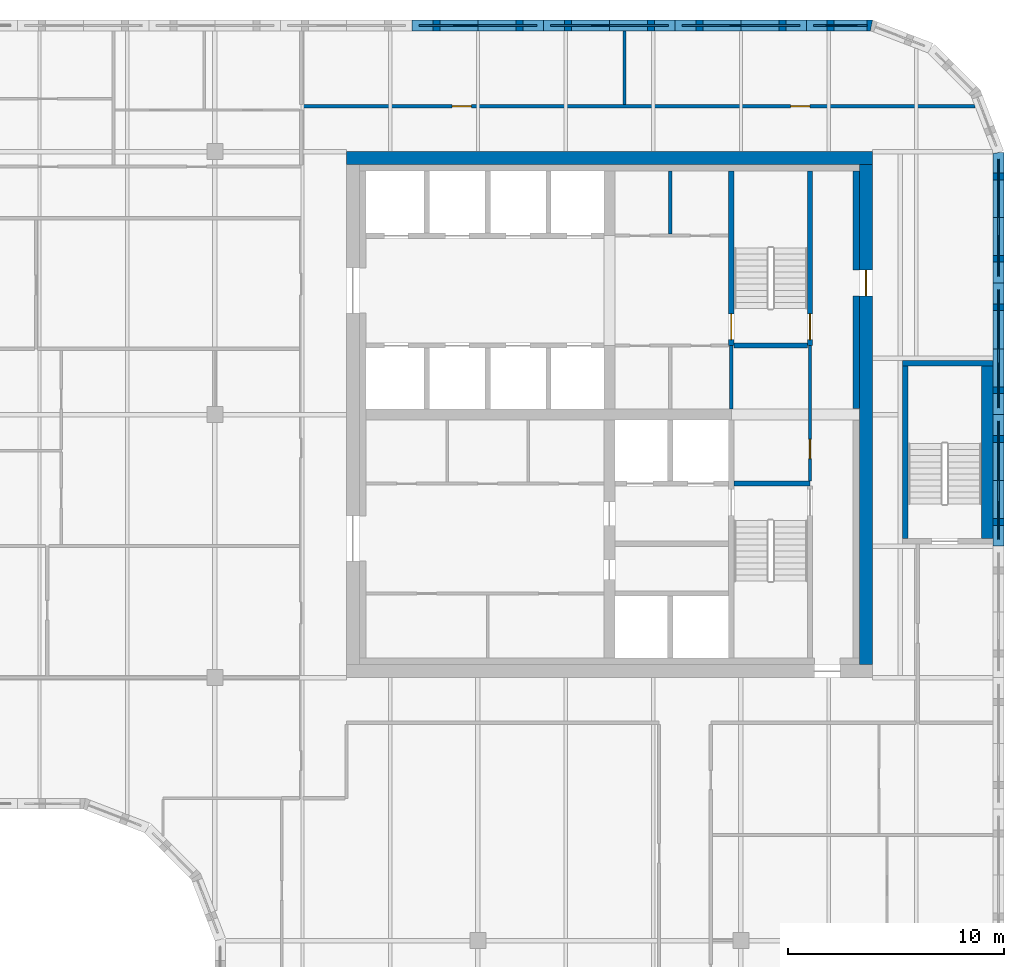
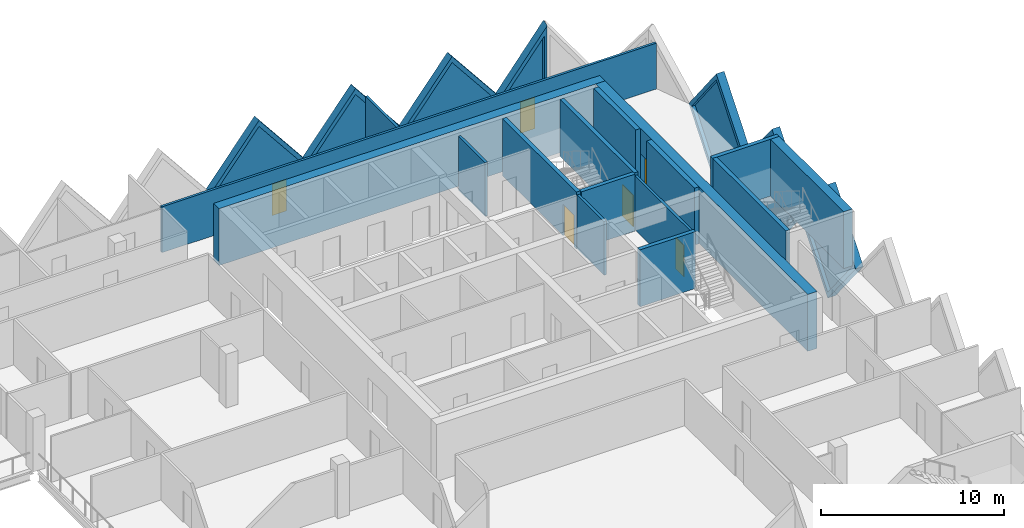
# One storey, part 9 of 11: 23 walls, 7 plates, 6 doors, 13 openings.
"""IFC4 building model written with IfcOpenShell, lengths in metres."""

from ifc_helpers import new_model, si_unit, direction, frame, frame_2d, origin, place, context, subcontext, project, spatial, polyline, rectangle, outline, extrude, faceted_brep, source, transform, mapped, material, layer, layer_set, type_object, element, fill, save


model = new_model("IFC4")

# Units and contexts
model_context = context("Model", 3, precision=1e-05, world=origin(), true_north=direction((0.0, 1.0)))
body_context = subcontext(model_context, "Body", "Model", "MODEL_VIEW")
ifc_project = project(units=[si_unit("LENGTHUNIT", "METRE"), si_unit("AREAUNIT", "SQUARE_METRE"), si_unit("VOLUMEUNIT", "CUBIC_METRE"), si_unit("PLANEANGLEUNIT", "RADIAN"), si_unit("MASSUNIT", "GRAM", prefix="KILO")], contexts=[model_context])

# Site, building, storey
site_placement = place(None, origin())
site = spatial("IfcSite", under=ifc_project, at=site_placement, CompositionType="ELEMENT")
building_placement = place(site_placement, origin())
building = spatial("IfcBuilding", under=site, at=building_placement, Name="Tessera Gate Towers", CompositionType="ELEMENT")
storey_placement = place(building_placement, frame((0.0, 0.0, 170.60009765625)))
storey = spatial("IfcBuildingStorey", under=building, at=storey_placement, Name="L42", CompositionType="ELEMENT", Elevation=170.60009765625)

# Wall
ifc_material_1 = material(Name="Concrete C40/50", Category="concrete")
ifc_layer_1 = layer(ifc_material_1, 0.25)
ifc_layer_set_1 = layer_set([ifc_layer_1], Name="CORE ENCLOSURE WALL 250")
wall_type_1 = type_object("IfcWallType", Name="CORE ENCLOSURE WALL 250", PredefinedType="SOLIDWALL", material=ifc_layer_set_1)
wall_1_placement = place(storey_placement, frame((48.47509765625, 33.39990234375, 0.0), z_axis=(0.0, 0.0, 1.0), x_axis=(1.0, 0.0, 0.0)))
element("IfcWall", 1, at=wall_1_placement, inside=storey, type_object=wall_type_1, Name="L42 shaft and stair enclosure wall", PredefinedType="SOLIDWALL", context=body_context, shape_type="SweptSolid", body=[
    extrude(rectangle(XDim=3.52490234375, YDim=0.25, at=frame_2d((1.762451171875, 0.0))), origin(), (0.0, 0.0, 1.0), 3.7998046875),
])

# Wall, opening, door
wall_2_placement = place(storey_placement, frame((48.35009765625, 47.89990234375, 0.0), z_axis=(0.0, 0.0, 1.0), x_axis=(0.0, -1.0, 0.0)))
wall_2 = element("IfcWall", 2, at=wall_2_placement, inside=storey, type_object=wall_type_1, Name="L42 shaft and stair enclosure wall", PredefinedType="SOLIDWALL", context=body_context, shape_type="SweptSolid", body=[
    extrude(rectangle(XDim=8.099853515625, YDim=0.25, at=frame_2d((4.0498046875, 0.0))), origin(), (0.0, 0.0, 1.0), 3.7998046875),
])
shared_shape_1 = source(origin(), body_context, "Body", "SweptSolid", [
    extrude(rectangle(XDim=1.199951171875, YDim=2.10009765625, at=frame_2d((0.60009765625, 1.050048828125))), frame((0.0, 0.135009765625, 0.0), z_axis=(0.0, -1.0, 0.0), x_axis=(1.0, 0.0, 0.0)), (0.0, 0.0, 1.0), 0.27001953125),
])
opening_1_placement = place(wall_2_placement, frame((6.625, 0.0, 0.0)))
opening_1 = element("IfcOpeningElement", 3, at=opening_1_placement, cuts=wall_2, Name="Opening SD-ST2-1", PredefinedType="OPENING", context=body_context, shape_type="MappedRepresentation", body=[
    mapped(shared_shape_1, transform((0.0, 0.0, 0.0), scale=1.0)),
])
ifc_material_2 = material(Name="Hollow steel fire door", Category="steel")
door_type_1 = type_object("IfcDoorType", Name="CORE DOOR SD 1200x2100", OperationType="NOTDEFINED", PredefinedType="DOOR", material=ifc_material_2)
shared_shape_2 = source(origin(), body_context, "Body", "SweptSolid", [
    extrude(rectangle(XDim=1.199951171875, YDim=2.10009765625, at=frame_2d((0.60009765625, 1.050048828125))), frame((0.0, 0.02490234375, 0.0), z_axis=(0.0, -1.0, 0.0), x_axis=(1.0, 0.0, 0.0)), (0.0, 0.0, 1.0), 0.050048828125),
])
door_1_placement = place(opening_1_placement, origin())
door_1 = element("IfcDoor", 4, at=door_1_placement, inside=storey, type_object=door_type_1, Name="Stair door", OperationType="SINGLE_SWING_RIGHT", OverallHeight=2.10009765625, OverallWidth=1.199951171875, PredefinedType="DOOR", context=body_context, shape_type="MappedRepresentation", body=[
    mapped(shared_shape_2, transform((0.0, 0.0, 0.0), scale=1.0)),
])
fill(opening_1, door_1)

wall_3_placement = place(storey_placement, frame((52.0, 39.800048828125, 0.0), z_axis=(0.0, 0.0, 1.0), x_axis=(0.0, 1.0, 0.0)))
wall_3 = element("IfcWall", 5, at=wall_3_placement, inside=storey, type_object=wall_type_1, Name="L42 shaft and stair enclosure wall", PredefinedType="SOLIDWALL", context=body_context, shape_type="SweptSolid", body=[
    extrude(rectangle(XDim=8.099853515625, YDim=0.25, at=frame_2d((4.0498046875, 0.0))), origin(), (0.0, 0.0, 1.0), 3.7998046875),
])
opening_2_placement = place(wall_3_placement, frame((0.27490234375, 0.0, 0.0)))
opening_2 = element("IfcOpeningElement", 6, at=opening_2_placement, cuts=wall_3, Name="Opening SD-ST2-2", PredefinedType="OPENING", context=body_context, shape_type="MappedRepresentation", body=[
    mapped(shared_shape_1, transform((0.0, 0.0, 0.0), scale=1.0)),
])
door_2_placement = place(opening_2_placement, origin())
door_2 = element("IfcDoor", 7, at=door_2_placement, inside=storey, type_object=door_type_1, Name="Stair door", OperationType="SINGLE_SWING_LEFT", OverallHeight=2.10009765625, OverallWidth=1.199951171875, PredefinedType="DOOR", context=body_context, shape_type="MappedRepresentation", body=[
    mapped(shared_shape_2, transform((0.0, 0.0, 0.0), scale=1.0)),
])
fill(opening_2, door_2)

# Walls
wall_4_placement = place(storey_placement, frame((48.47509765625, 39.800048828125, 0.0), z_axis=(0.0, 0.0, 1.0), x_axis=(1.0, 0.0, 0.0)))
element("IfcWall", 8, at=wall_4_placement, inside=storey, type_object=wall_type_1, Name="L42 shaft and stair enclosure wall", PredefinedType="SOLIDWALL", context=body_context, shape_type="SweptSolid", body=[
    extrude(rectangle(XDim=3.39990234375, YDim=0.25, at=frame_2d((1.699951171875, 0.0))), origin(), (0.0, 0.0, 1.0), 3.7998046875),
])
wall_5_placement = place(storey_placement, frame((56.425048828125, 30.85009765625, 0.0), z_axis=(0.0, 0.0, 1.0), x_axis=(0.0, 1.0, 0.0)))
element("IfcWall", 9, at=wall_5_placement, inside=storey, type_object=wall_type_1, Name="L42 ST5 enclosure wall", PredefinedType="SOLIDWALL", context=body_context, shape_type="SweptSolid", body=[
    extrude(rectangle(XDim=8.0, YDim=0.25, at=frame_2d((4.0, 0.0))), origin(), (0.0, 0.0, 1.0), 3.7998046875),
])
wall_6_placement = place(storey_placement, frame((56.300048828125, 38.97509765625, 0.0), z_axis=(0.0, 0.0, 1.0), x_axis=(1.0, 0.0, 0.0)))
element("IfcWall", 10, at=wall_6_placement, inside=storey, type_object=wall_type_1, Name="L42 ST5 enclosure wall", PredefinedType="SOLIDWALL", context=body_context, shape_type="SweptSolid", body=[
    extrude(rectangle(XDim=4.199951171875, YDim=0.25, at=frame_2d((2.10009765625, 0.0))), origin(), (0.0, 0.0, 1.0), 3.7998046875),
])
ifc_material_3 = material(Name="Concrete C40/50", Category="concrete")
ifc_layer_2 = layer(ifc_material_3, 0.550048828125)
ifc_layer_set_2 = layer_set([ifc_layer_2], Name="CORE ENCLOSURE WALL 550")
wall_type_2 = type_object("IfcWallType", Name="CORE ENCLOSURE WALL 550", PredefinedType="SOLIDWALL", material=ifc_layer_set_2)
wall_7_placement = place(storey_placement, frame((60.22509765625, 38.85009765625, 0.0), z_axis=(0.0, 0.0, 1.0), x_axis=(0.0, -1.0, 0.0)))
element("IfcWall", 11, at=wall_7_placement, inside=storey, type_object=wall_type_2, Name="L42 ST5 enclosure wall", PredefinedType="SOLIDWALL", context=body_context, shape_type="SweptSolid", body=[
    extrude(rectangle(XDim=8.0, YDim=0.550048828125, at=frame_2d((4.0, 0.0))), origin(), (0.0, 0.0, 1.0), 3.7998046875),
])
ifc_material_4 = material(Name="Concrete C50/60", Category="concrete")
ifc_layer_3 = layer(ifc_material_4, 0.60009765625)
ifc_layer_set_3 = layer_set([ifc_layer_3], Name="CORE SHEAR WALL 600 C50/60")
wall_type_3 = type_object("IfcWallType", Name="CORE SHEAR WALL 600 C50/60", PredefinedType="SHEAR", material=ifc_layer_set_3)
wall_8_placement = place(storey_placement, frame((30.5, 48.5, 0.0), z_axis=(0.0, 0.0, 1.0), x_axis=(1.0, 0.0, 0.0)))
element("IfcWall", 12, at=wall_8_placement, inside=storey, type_object=wall_type_3, Name="Core wall N L42", PredefinedType="SHEAR", context=body_context, shape_type="SweptSolid", body=[
    extrude(rectangle(XDim=24.39990234375, YDim=0.60009765625, at=frame_2d((12.199951171875, 0.0))), origin(), (0.0, 0.0, 1.0), 3.7998046875),
])

# Wall, opening, door
wall_9_placement = place(storey_placement, frame((54.60009765625, 48.199951171875, 0.0), z_axis=(0.0, 0.0, 1.0), x_axis=(0.0, -1.0, 0.0)))
wall_9 = element("IfcWall", 13, at=wall_9_placement, inside=storey, type_object=wall_type_3, Name="Core wall E L42", PredefinedType="SHEAR", context=body_context, shape_type="SweptSolid", body=[
    extrude(rectangle(XDim=23.199951171875, YDim=0.60009765625, at=frame_2d((11.60009765625, 0.0))), origin(), (0.0, 0.0, 1.0), 3.7998046875),
])
shared_shape_3 = source(origin(), body_context, "Body", "SweptSolid", [
    extrude(rectangle(XDim=1.199951171875, YDim=2.10009765625, at=frame_2d((0.60009765625, 1.050048828125))), frame((0.0, 0.31005859375, 0.0), z_axis=(0.0, -1.0, 0.0), x_axis=(1.0, 0.0, 0.0)), (0.0, 0.0, 1.0), 0.6201171875),
])
opening_3_placement = place(wall_9_placement, frame((4.89990234375, 0.0, 0.0)))
opening_3 = element("IfcOpeningElement", 14, at=opening_3_placement, cuts=wall_9, Name="Opening ED-T1-27-04", PredefinedType="OPENING", context=body_context, shape_type="MappedRepresentation", body=[
    mapped(shared_shape_3, transform((0.0, 0.0, 0.0), scale=1.0)),
])
ifc_material_5 = material(Name="Hollow steel fire door", Category="steel")
door_type_2 = type_object("IfcDoorType", Name="CORE DOOR ED 1200x2100", OperationType="NOTDEFINED", PredefinedType="DOOR", material=ifc_material_5)
door_3_placement = place(opening_3_placement, origin())
door_3 = element("IfcDoor", 15, at=door_3_placement, inside=storey, type_object=door_type_2, Name="Core exit door", OperationType="SINGLE_SWING_LEFT", OverallHeight=2.10009765625, OverallWidth=1.199951171875, PredefinedType="DOOR", context=body_context, shape_type="MappedRepresentation", body=[
    mapped(shared_shape_2, transform((0.0, 0.0, 0.0), scale=1.0)),
])
fill(opening_3, door_3)

# Walls
ifc_material_6 = material(Name="Concrete C50/60", Category="concrete")
ifc_layer_4 = layer(ifc_material_6, 0.300048828125)
ifc_layer_set_4 = layer_set([ifc_layer_4], Name="CORE WALL THICKENING 300")
wall_type_4 = type_object("IfcWallType", Name="CORE WALL THICKENING 300", PredefinedType="SOLIDWALL", material=ifc_layer_set_4)
wall_10_placement = place(storey_placement, frame((54.14990234375, 36.8798828125, 0.0), z_axis=(0.0, 0.0, 1.0), x_axis=(0.0, 1.0, 0.0)))
element("IfcWall", 16, at=wall_10_placement, inside=storey, type_object=wall_type_4, Name="Core wall thickening E L42", PredefinedType="SOLIDWALL", context=body_context, shape_type="SweptSolid", body=[
    extrude(rectangle(XDim=5.22021484375, YDim=0.300048828125, at=frame_2d((2.610107421875, 0.0))), origin(), (0.0, 0.0, 1.0), 3.7998046875),
])
wall_11_placement = place(storey_placement, frame((54.14990234375, 43.300048828125, 0.0), z_axis=(0.0, 0.0, 1.0), x_axis=(0.0, 1.0, 0.0)))
element("IfcWall", 17, at=wall_11_placement, inside=storey, type_object=wall_type_4, Name="Core wall thickening E L42", PredefinedType="SOLIDWALL", context=body_context, shape_type="SweptSolid", body=[
    extrude(rectangle(XDim=4.599853515625, YDim=0.300048828125, at=frame_2d((2.2998046875, 0.0))), origin(), (0.0, 0.0, 1.0), 3.7998046875),
])

# Wall, openings, doors
ifc_material_7 = material(Name="Gypsum board on steel studs, mineral wool", Category="steel")
ifc_layer_5 = layer(ifc_material_7, 0.14990234375)
ifc_layer_set_5 = layer_set([ifc_layer_5], Name="CORRIDOR WALL 150")
wall_type_5 = type_object("IfcWallType", Name="CORRIDOR WALL 150", PredefinedType="PARTITIONING", material=ifc_layer_set_5)
wall_12_placement = place(storey_placement, frame((28.39990234375, 50.89990234375, 0.0), z_axis=(0.0, 0.0, 1.0), x_axis=(1.0, 0.0, 0.0)))
wall_12 = element("IfcWall", 18, at=wall_12_placement, inside=storey, type_object=wall_type_5, Name="T1-L42-PW-047", PredefinedType="PARTITIONING", context=body_context, shape_type="SweptSolid", body=[
    extrude(rectangle(XDim=31.254150390625, YDim=0.14990234375, at=frame_2d((15.626953125, 0.0))), origin(), (0.0, 0.0, 1.0), 3.06689453125),
])
shared_shape_4 = source(origin(), body_context, "Body", "SweptSolid", [
    extrude(rectangle(XDim=0.89990234375, YDim=2.10009765625, at=frame_2d((0.449951171875, 1.050048828125))), frame((0.0, 0.0849609375, 0.0), z_axis=(0.0, -1.0, 0.0), x_axis=(1.0, 0.0, 0.0)), (0.0, 0.0, 1.0), 0.169921875),
])
opening_4_placement = place(wall_12_placement, frame((7.0, 0.0, 0.0)))
opening_4 = element("IfcOpeningElement", 19, at=opening_4_placement, cuts=wall_12, Name="Opening D890FD60-A15-11", PredefinedType="OPENING", context=body_context, shape_type="MappedRepresentation", body=[
    mapped(shared_shape_4, transform((0.0, 0.0, 0.0), scale=1.0)),
])
opening_5_placement = place(wall_12_placement, frame((22.699951171875, 0.0, 0.0)))
opening_5 = element("IfcOpeningElement", 20, at=opening_5_placement, cuts=wall_12, Name="Opening D890FD60-A15-12", PredefinedType="OPENING", context=body_context, shape_type="MappedRepresentation", body=[
    mapped(shared_shape_4, transform((0.0, 0.0, 0.0), scale=1.0)),
])
ifc_material_8 = material(Name="Timber door leaf in steel frame", Category="steel")
door_type_3 = type_object("IfcDoorType", Name="CORRIDOR DOOR 900 FD60", OperationType="NOTDEFINED", PredefinedType="DOOR", material=ifc_material_8)
shared_shape_5 = source(origin(), body_context, "Body", "SweptSolid", [
    extrude(rectangle(XDim=0.89990234375, YDim=2.10009765625, at=frame_2d((0.449951171875, 1.050048828125))), frame((0.0, 0.02490234375, 0.0), z_axis=(0.0, -1.0, 0.0), x_axis=(1.0, 0.0, 0.0)), (0.0, 0.0, 1.0), 0.050048828125),
])
door_4_placement = place(opening_4_placement, origin())
door_4 = element("IfcDoor", 21, at=door_4_placement, inside=storey, type_object=door_type_3, Name="T1-L42-PD-028", OperationType="SINGLE_SWING_LEFT", OverallHeight=2.10009765625, OverallWidth=0.89990234375, PredefinedType="DOOR", context=body_context, shape_type="MappedRepresentation", body=[
    mapped(shared_shape_5, transform((0.0, 0.0, 0.0), scale=1.0)),
])
fill(opening_4, door_4)
door_5_placement = place(opening_5_placement, origin())
door_5 = element("IfcDoor", 22, at=door_5_placement, inside=storey, type_object=door_type_3, Name="T1-L42-PD-029", OperationType="SINGLE_SWING_LEFT", OverallHeight=2.10009765625, OverallWidth=0.89990234375, PredefinedType="DOOR", context=body_context, shape_type="MappedRepresentation", body=[
    mapped(shared_shape_5, transform((0.0, 0.0, 0.0), scale=1.0)),
])
fill(opening_5, door_5)

# Wall, opening, door
ifc_material_9 = material(Name="Gypsum board on steel studs", Category="steel")
ifc_layer_6 = layer(ifc_material_9, 0.14990234375)
ifc_layer_set_6 = layer_set([ifc_layer_6], Name="SERVICE ROOM WALL 150")
wall_type_6 = type_object("IfcWallType", Name="SERVICE ROOM WALL 150", PredefinedType="PARTITIONING", material=ifc_layer_set_6)
wall_13_placement = place(storey_placement, frame((52.0, 33.52490234375, 0.0), z_axis=(0.0, 0.0, 1.0), x_axis=(0.0, 1.0, 0.0)))
wall_13 = element("IfcWall", 23, at=wall_13_placement, inside=storey, type_object=wall_type_6, Name="L42 service room wall", PredefinedType="PARTITIONING", context=body_context, shape_type="SweptSolid", body=[
    extrude(rectangle(XDim=6.275146484375, YDim=0.14990234375, at=frame_2d((3.1376953125, 0.0))), origin(), (0.0, 0.0, 1.0), 3.599853515625),
])
opening_6_placement = place(wall_13_placement, frame((1.02490234375, 0.0, 0.0)))
opening_6 = element("IfcOpeningElement", 24, at=opening_6_placement, cuts=wall_13, Name="Opening RD-T1-27-12", PredefinedType="OPENING", context=body_context, shape_type="MappedRepresentation", body=[
    mapped(shared_shape_4, transform((0.0, 0.0, 0.0), scale=1.0)),
])
ifc_material_10 = material(Name="Hollow steel fire door", Category="steel")
door_type_4 = type_object("IfcDoorType", Name="CORE DOOR RD 900x2100", OperationType="NOTDEFINED", PredefinedType="DOOR", material=ifc_material_10)
door_6_placement = place(opening_6_placement, origin())
door_6 = element("IfcDoor", 25, at=door_6_placement, inside=storey, type_object=door_type_4, Name="Core room door", OperationType="SINGLE_SWING_LEFT", OverallHeight=2.10009765625, OverallWidth=0.89990234375, PredefinedType="DOOR", context=body_context, shape_type="MappedRepresentation", body=[
    mapped(shared_shape_5, transform((0.0, 0.0, 0.0), scale=1.0)),
])
fill(opening_6, door_6)

# Walls
wall_14_placement = place(storey_placement, frame((48.35009765625, 36.85009765625, 0.0), z_axis=(0.0, 0.0, 1.0), x_axis=(0.0, 1.0, 0.0)))
element("IfcWall", 26, at=wall_14_placement, inside=storey, type_object=wall_type_6, Name="L42 service room wall", PredefinedType="PARTITIONING", context=body_context, shape_type="SweptSolid", body=[
    extrude(rectangle(XDim=2.949951171875, YDim=0.14990234375, at=frame_2d((1.47509765625, 0.0))), origin(), (0.0, 0.0, 1.0), 3.599853515625),
])
wall_15_placement = place(storey_placement, frame((45.52490234375, 44.97509765625, 0.0), z_axis=(0.0, 0.0, 1.0), x_axis=(0.0, 1.0, 0.0)))
element("IfcWall", 27, at=wall_15_placement, inside=storey, type_object=wall_type_6, Name="L42 service room wall", PredefinedType="PARTITIONING", context=body_context, shape_type="SweptSolid", body=[
    extrude(rectangle(XDim=2.9248046875, YDim=0.14990234375, at=frame_2d((1.46240234375, 0.0))), origin(), (0.0, 0.0, 1.0), 3.599853515625),
])
ifc_material_11 = material(Name="Gypsum board on steel studs, mineral wool", Category="steel")
ifc_layer_7 = layer(ifc_material_11, 0.14990234375)
ifc_layer_set_7 = layer_set([ifc_layer_7], Name="TENANCY WALL 150")
wall_type_7 = type_object("IfcWallType", Name="TENANCY WALL 150", PredefinedType="PARTITIONING", material=ifc_layer_set_7)
wall_16_placement = place(storey_placement, frame((43.39990234375, 50.97607421875, 0.0), z_axis=(0.0, 0.0, 1.0), x_axis=(0.0, 1.0, 0.0)))
element("IfcWall", 28, at=wall_16_placement, inside=storey, type_object=wall_type_7, Name="T1-L42-PW-049", PredefinedType="PARTITIONING", context=body_context, shape_type="SweptSolid", body=[
    extrude(rectangle(XDim=3.423828125, YDim=0.14990234375, at=frame_2d((1.7119140625, 0.0))), origin(), (0.0, 0.0, 1.0), 3.06689453125),
])

# Wall, opening, plate
ifc_material_12 = material(Name="Precast concrete C60/75 white", Category="concrete")
ifc_layer_8 = layer(ifc_material_12, 0.5)
ifc_layer_set_8 = layer_set([ifc_layer_8], Name="TS1 tessera")
wall_type_8 = type_object("IfcWallType", Name="TS1 tessera", PredefinedType="SOLIDWALL", material=ifc_layer_set_8)
shared_shape_6 = source(origin(), body_context, "Body", "Brep", [
    faceted_brep([(3.050048828125, -0.25, 0.0), (6.099853515625, -0.25, 3.7998046875), (6.099853515625, -0.25, 3.80029296875), (3.050048828125, -0.25, 7.599853515625), (0.0, -0.25, 3.800048828125), (0.0, 0.25, 3.800048828125), (3.050048828125, 0.25, 7.599853515625), (6.099853515625, 0.25, 3.80029296875), (6.099853515625, 0.25, 3.7998046875), (3.050048828125, 0.25, 0.0)], [[[0, 1, 2, 3, 4]], [[5, 6, 7, 8, 9]], [[9, 8, 1, 0]], [[7, 6, 3, 2]], [[6, 5, 4, 3]], [[5, 9, 0, 4]], [[1, 8, 7, 2]]]),
])
wall_17_placement = place(storey_placement, frame((60.75, 36.60009765625, -3.800048828125), z_axis=(0.0, 0.0, 1.0), x_axis=(0.0, 1.0, 0.0)))
wall_17 = element("IfcWall", 29, at=wall_17_placement, inside=storey, type_object=wall_type_8, Name="Precast tessera T1 TS1-0721", PredefinedType="SOLIDWALL", context=body_context, shape_type="MappedRepresentation", body=[
    mapped(shared_shape_6, transform((0.0, 0.0, 0.0), scale=1.0)),
])
shared_shape_7 = source(origin(), body_context, "Body", "SweptSolid", [
    extrude(outline(polyline([(3.050048828125, 0.3994140625), (5.779541015625, 3.800048828125), (3.050048828125, 7.200439453125), (0.320556640625, 3.800048828125), (3.050048828125, 0.3994140625)])), frame((0.0, 0.260009765625, 0.0), z_axis=(0.0, -1.0, 0.0), x_axis=(1.0, 0.0, 0.0)), (0.0, 0.0, 1.0), 0.52001953125),
])
opening_7_placement = place(wall_17_placement, origin())
opening_7 = element("IfcOpeningElement", 30, at=opening_7_placement, cuts=wall_17, Name="Opening T1-PL2-1471", PredefinedType="OPENING", context=body_context, shape_type="MappedRepresentation", body=[
    mapped(shared_shape_7, transform((0.0, 0.0, 0.0), scale=1.0)),
])
ifc_material_13 = material(Name="Low-e laminated glass", Category="glass")
ifc_layer_9 = layer(ifc_material_13, 0.06005859375)
ifc_layer_set_9 = layer_set([ifc_layer_9], Name="PL2 rhombic pane")
plate_type = type_object("IfcPlateType", Name="PL2 rhombic pane", PredefinedType="SHEET", material=ifc_layer_set_9)
shared_shape_8 = source(origin(), body_context, "Body", "SweptSolid", [
    extrude(outline(polyline([(3.050048828125, 0.3994140625), (5.779541015625, 3.800048828125), (3.050048828125, 7.200439453125), (0.320556640625, 3.800048828125), (3.050048828125, 0.3994140625)])), frame((0.0, 0.030029296875, 0.0), z_axis=(0.0, -1.0, 0.0), x_axis=(1.0, 0.0, 0.0)), (0.0, 0.0, 1.0), 0.06005859375),
])
plate_1_placement = place(opening_7_placement, origin())
plate_1 = element("IfcPlate", 31, at=plate_1_placement, inside=storey, type_object=plate_type, Name="Glass pane T1 PL2-1471", PredefinedType="SHEET", context=body_context, shape_type="MappedRepresentation", body=[
    mapped(shared_shape_8, transform((0.0, 0.0, 0.0), scale=1.0)),
])
fill(opening_7, plate_1)

wall_18_placement = place(storey_placement, frame((39.64990234375, 54.64990234375, -3.800048828125), z_axis=(0.0, 0.0, 1.0), x_axis=(-1.0, 0.0, 0.0)))
wall_18 = element("IfcWall", 32, at=wall_18_placement, inside=storey, type_object=wall_type_8, Name="Precast tessera T1 TS1-0725", PredefinedType="SOLIDWALL", context=body_context, shape_type="MappedRepresentation", body=[
    mapped(shared_shape_6, transform((0.0, 0.0, 0.0), scale=1.0)),
])
opening_8_placement = place(wall_18_placement, origin())
opening_8 = element("IfcOpeningElement", 33, at=opening_8_placement, cuts=wall_18, Name="Opening T1-PL2-1479", PredefinedType="OPENING", context=body_context, shape_type="MappedRepresentation", body=[
    mapped(shared_shape_7, transform((0.0, 0.0, 0.0), scale=1.0)),
])
plate_2_placement = place(opening_8_placement, origin())
plate_2 = element("IfcPlate", 34, at=plate_2_placement, inside=storey, type_object=plate_type, Name="Glass pane T1 PL2-1479", PredefinedType="SHEET", context=body_context, shape_type="MappedRepresentation", body=[
    mapped(shared_shape_8, transform((0.0, 0.0, 0.0), scale=1.0)),
])
fill(opening_8, plate_2)

shared_shape_9 = source(origin(), body_context, "Body", "SweptSolid", [
    extrude(outline(polyline([(3.050048828125, 0.0), (6.10009765625, 3.800048828125), (3.050048828125, 7.599853515625), (0.0, 3.800048828125), (3.050048828125, 0.0)])), frame((0.0, 0.25, 0.0), z_axis=(0.0, -1.0, 0.0), x_axis=(1.0, 0.0, 0.0)), (0.0, 0.0, 1.0), 0.5),
])
wall_19_placement = place(storey_placement, frame((60.75, 30.5, -3.800048828125), z_axis=(0.0, 0.0, 1.0), x_axis=(0.0, 1.0, 0.0)))
wall_19 = element("IfcWall", 35, at=wall_19_placement, inside=storey, type_object=wall_type_8, Name="Precast tessera T1 TS1-0720", PredefinedType="SOLIDWALL", context=body_context, shape_type="MappedRepresentation", body=[
    mapped(shared_shape_9, transform((0.0, 0.0, 0.0), scale=1.0)),
])
opening_9_placement = place(wall_19_placement, origin())
opening_9 = element("IfcOpeningElement", 36, at=opening_9_placement, cuts=wall_19, Name="Opening T1-PL2-1470", PredefinedType="OPENING", context=body_context, shape_type="MappedRepresentation", body=[
    mapped(shared_shape_7, transform((0.0, 0.0, 0.0), scale=1.0)),
])
plate_3_placement = place(opening_9_placement, origin())
plate_3 = element("IfcPlate", 37, at=plate_3_placement, inside=storey, type_object=plate_type, Name="Glass pane T1 PL2-1470", PredefinedType="SHEET", context=body_context, shape_type="MappedRepresentation", body=[
    mapped(shared_shape_8, transform((0.0, 0.0, 0.0), scale=1.0)),
])
fill(opening_9, plate_3)

wall_20_placement = place(storey_placement, frame((51.85009765625, 54.64990234375, -3.800048828125), z_axis=(0.0, 0.0, 1.0), x_axis=(-1.0, 0.0, 0.0)))
wall_20 = element("IfcWall", 38, at=wall_20_placement, inside=storey, type_object=wall_type_8, Name="Precast tessera T1 TS1-0723", PredefinedType="SOLIDWALL", context=body_context, shape_type="MappedRepresentation", body=[
    mapped(shared_shape_9, transform((0.0, 0.0, 0.0), scale=1.0)),
])
opening_10_placement = place(wall_20_placement, origin())
opening_10 = element("IfcOpeningElement", 39, at=opening_10_placement, cuts=wall_20, Name="Opening T1-PL2-1477", PredefinedType="OPENING", context=body_context, shape_type="MappedRepresentation", body=[
    mapped(shared_shape_7, transform((0.0, 0.0, 0.0), scale=1.0)),
])
plate_4_placement = place(opening_10_placement, origin())
plate_4 = element("IfcPlate", 40, at=plate_4_placement, inside=storey, type_object=plate_type, Name="Glass pane T1 PL2-1477", PredefinedType="SHEET", context=body_context, shape_type="MappedRepresentation", body=[
    mapped(shared_shape_8, transform((0.0, 0.0, 0.0), scale=1.0)),
])
fill(opening_10, plate_4)

wall_21_placement = place(storey_placement, frame((45.75, 54.64990234375, -3.800048828125), z_axis=(0.0, 0.0, 1.0), x_axis=(-1.0, 0.0, 0.0)))
wall_21 = element("IfcWall", 41, at=wall_21_placement, inside=storey, type_object=wall_type_8, Name="Precast tessera T1 TS1-0724", PredefinedType="SOLIDWALL", context=body_context, shape_type="MappedRepresentation", body=[
    mapped(shared_shape_9, transform((0.0, 0.0, 0.0), scale=1.0)),
])
opening_11_placement = place(wall_21_placement, origin())
opening_11 = element("IfcOpeningElement", 42, at=opening_11_placement, cuts=wall_21, Name="Opening T1-PL2-1478", PredefinedType="OPENING", context=body_context, shape_type="MappedRepresentation", body=[
    mapped(shared_shape_7, transform((0.0, 0.0, 0.0), scale=1.0)),
])
plate_5_placement = place(opening_11_placement, origin())
plate_5 = element("IfcPlate", 43, at=plate_5_placement, inside=storey, type_object=plate_type, Name="Glass pane T1 PL2-1478", PredefinedType="SHEET", context=body_context, shape_type="MappedRepresentation", body=[
    mapped(shared_shape_8, transform((0.0, 0.0, 0.0), scale=1.0)),
])
fill(opening_11, plate_5)

shared_shape_10 = source(origin(), body_context, "Body", "Brep", [
    faceted_brep([(3.050048828125, -0.25, 0.0), (6.053466796875, -0.25, 3.800048828125), (3.050048828125, -0.25, 7.599853515625), (0.0, -0.25, 3.800048828125), (0.0, 0.25, 3.800048828125), (3.050048828125, 0.25, 7.599853515625), (6.0068359375, 0.25, 3.85888671875), (6.0068359375, 0.25, 3.7412109375), (3.050048828125, 0.25, 0.0), (6.053466796875, 0.0, 3.800048828125)], [[[0, 1, 2, 3]], [[4, 5, 6, 7, 8]], [[8, 7, 9, 1, 0]], [[6, 5, 2, 1, 9]], [[5, 4, 3, 2]], [[4, 8, 0, 3]], [[7, 6, 9]]]),
])
wall_22_placement = place(storey_placement, frame((60.75, 42.699951171875, -3.800048828125), z_axis=(0.0, 0.0, 1.0), x_axis=(0.0, 1.0, 0.0)))
wall_22 = element("IfcWall", 44, at=wall_22_placement, inside=storey, type_object=wall_type_8, Name="Precast tessera T1 TS1-0722", PredefinedType="SOLIDWALL", context=body_context, shape_type="MappedRepresentation", body=[
    mapped(shared_shape_10, transform((0.0, 0.0, 0.0), scale=1.0)),
])
shared_shape_11 = source(origin(), body_context, "Body", "SweptSolid", [
    extrude(outline(polyline([(3.048583984375, 0.401123046875), (5.73486328125, 3.800048828125), (3.048583984375, 7.19873046875), (0.320556640625, 3.800048828125), (3.048583984375, 0.401123046875)])), frame((0.0, 0.260009765625, 0.0), z_axis=(0.0, -1.0, 0.0), x_axis=(1.0, 0.0, 0.0)), (0.0, 0.0, 1.0), 0.52001953125),
])
opening_12_placement = place(wall_22_placement, origin())
opening_12 = element("IfcOpeningElement", 45, at=opening_12_placement, cuts=wall_22, Name="Opening T1-PL2-1472", PredefinedType="OPENING", context=body_context, shape_type="MappedRepresentation", body=[
    mapped(shared_shape_11, transform((0.0, 0.0, 0.0), scale=1.0)),
])
shared_shape_12 = source(origin(), body_context, "Body", "SweptSolid", [
    extrude(outline(polyline([(3.048583984375, 0.401123046875), (5.73486328125, 3.800048828125), (3.048583984375, 7.19873046875), (0.320556640625, 3.800048828125), (3.048583984375, 0.401123046875)])), frame((0.0, 0.030029296875, 0.0), z_axis=(0.0, -1.0, 0.0), x_axis=(1.0, 0.0, 0.0)), (0.0, 0.0, 1.0), 0.06005859375),
])
plate_6_placement = place(opening_12_placement, origin())
plate_6 = element("IfcPlate", 46, at=plate_6_placement, inside=storey, type_object=plate_type, Name="Glass pane T1 PL2-1472", PredefinedType="SHEET", context=body_context, shape_type="MappedRepresentation", body=[
    mapped(shared_shape_12, transform((0.0, 0.0, 0.0), scale=1.0)),
])
fill(opening_12, plate_6)

ifc_material_14 = material(Name="Precast concrete C60/75 white", Category="concrete")
ifc_layer_10 = layer(ifc_material_14, 0.5)
ifc_layer_set_10 = layer_set([ifc_layer_10], Name="TS3 corner tessera")
wall_type_9 = type_object("IfcWallType", Name="TS3 corner tessera", PredefinedType="SOLIDWALL", material=ifc_layer_set_10)
shared_shape_13 = source(origin(), body_context, "Body", "Brep", [
    faceted_brep([(0.046630859375, -0.25, 0.0), (3.050048828125, -0.25, 3.800048828125), (0.046630859375, -0.25, 7.599853515625), (0.0, -0.25, 7.539794921875), (0.0, -0.25, 0.06005859375), (0.09326171875, 0.25, 7.541015625), (3.050048828125, 0.25, 3.800048828125), (0.09326171875, 0.25, 0.058837890625), (0.046630859375, 0.0, 0.0), (0.046630859375, 0.0, 7.599853515625)], [[[0, 1, 2, 3, 4]], [[5, 6, 7]], [[7, 6, 1, 0, 8]], [[6, 5, 9, 2, 1]], [[3, 2, 9]], [[8, 0, 4]], [[7, 8, 4, 3, 9, 5]]]),
])
wall_23_placement = place(storey_placement, frame((54.900146484375, 54.64990234375, -3.800048828125), z_axis=(0.0, 0.0, 1.0), x_axis=(-1.0, 0.0, 0.0)))
wall_23 = element("IfcWall", 47, at=wall_23_placement, inside=storey, type_object=wall_type_9, Name="Precast corner tessera T1 TS3-0970", PredefinedType="SOLIDWALL", context=body_context, shape_type="MappedRepresentation", body=[
    mapped(shared_shape_13, transform((0.0, 0.0, 0.0), scale=1.0)),
])
shared_shape_14 = source(origin(), body_context, "Body", "SweptSolid", [
    extrude(outline(polyline([(0.24658203125, 0.65625), (2.7314453125, 3.800048828125), (0.24658203125, 6.94384765625), (0.24658203125, 0.65625)])), frame((0.0, 0.260009765625, 0.0), z_axis=(0.0, -1.0, 0.0), x_axis=(1.0, 0.0, 0.0)), (0.0, 0.0, 1.0), 0.52001953125),
])
opening_13_placement = place(wall_23_placement, origin())
opening_13 = element("IfcOpeningElement", 48, at=opening_13_placement, cuts=wall_23, Name="Opening T1-PL2-1476", PredefinedType="OPENING", context=body_context, shape_type="MappedRepresentation", body=[
    mapped(shared_shape_14, transform((0.0, 0.0, 0.0), scale=1.0)),
])
shared_shape_15 = source(origin(), body_context, "Body", "SweptSolid", [
    extrude(outline(polyline([(0.24658203125, 0.65625), (2.7314453125, 3.800048828125), (0.24658203125, 6.94384765625), (0.24658203125, 0.65625)])), frame((0.0, 0.030029296875, 0.0), z_axis=(0.0, -1.0, 0.0), x_axis=(1.0, 0.0, 0.0)), (0.0, 0.0, 1.0), 0.06005859375),
])
plate_7_placement = place(opening_13_placement, origin())
plate_7 = element("IfcPlate", 49, at=plate_7_placement, inside=storey, type_object=plate_type, Name="Glass pane T1 PL2-1476", PredefinedType="SHEET", context=body_context, shape_type="MappedRepresentation", body=[
    mapped(shared_shape_15, transform((0.0, 0.0, 0.0), scale=1.0)),
])
fill(opening_13, plate_7)

save(model, "model.ifc")
